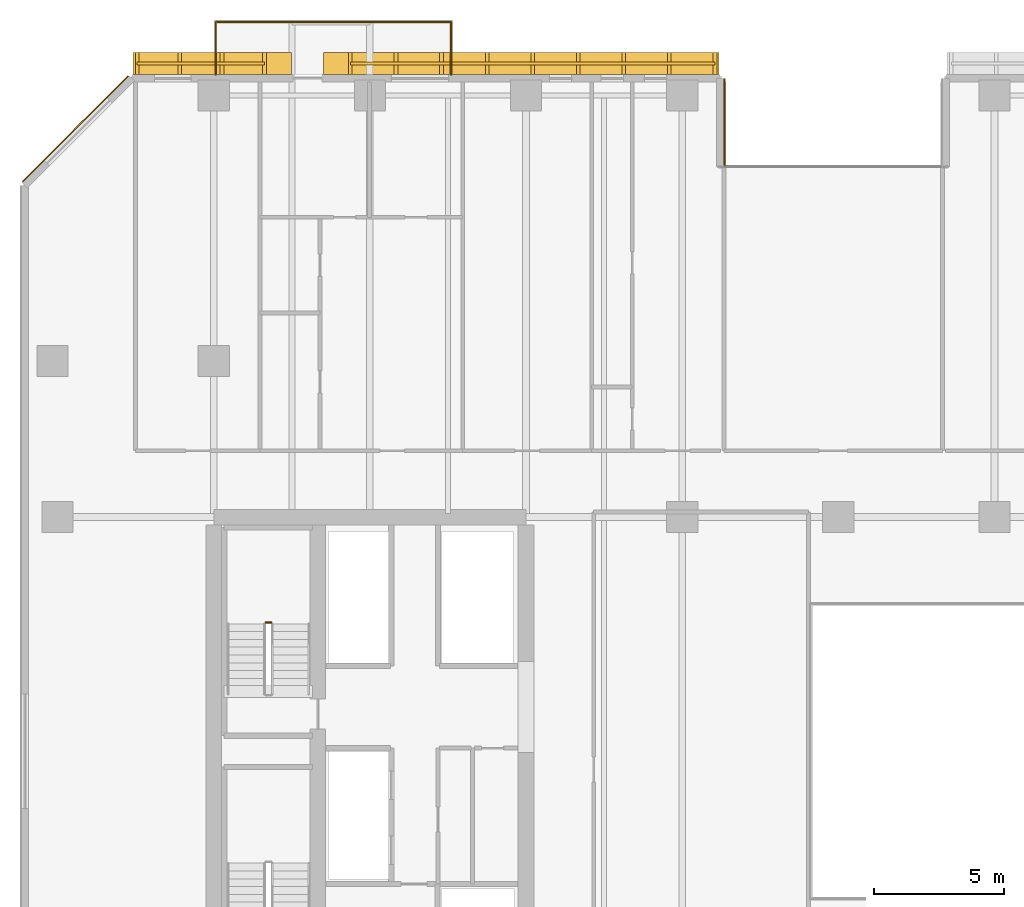
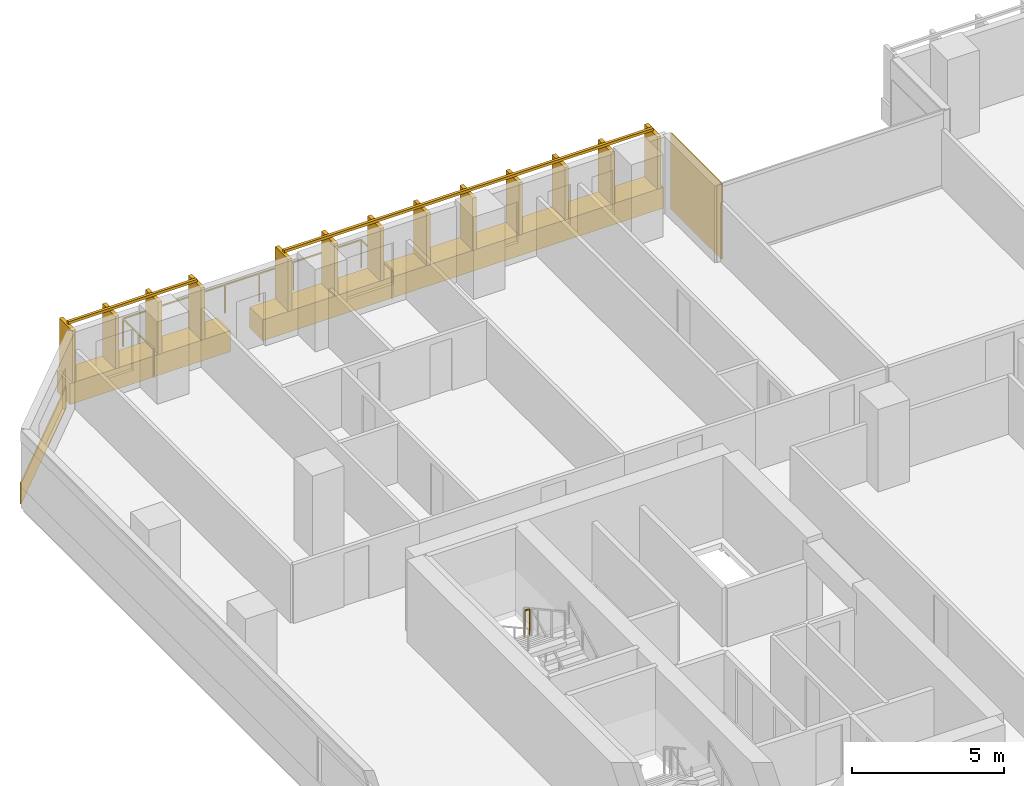
# One storey, part 21 of 25: 4 coverings, 4 railings.
"""IFC4 building model written with IfcOpenShell, lengths in metres."""

from ifc_helpers import new_model, si_unit, direction, frame, origin, origin_2d, place, context, subcontext, project, spatial, rectangle, extrude, material, layer, layer_set, type_object, element, save


model = new_model("IFC4")

# Units and contexts
model_context = context("Model", 3, precision=1e-05, world=origin(), true_north=direction((0.0, 1.0)))
body_context = subcontext(model_context, "Body", "Model", "MODEL_VIEW")
ifc_project = project(units=[si_unit("LENGTHUNIT", "METRE"), si_unit("AREAUNIT", "SQUARE_METRE"), si_unit("VOLUMEUNIT", "CUBIC_METRE"), si_unit("PLANEANGLEUNIT", "RADIAN"), si_unit("MASSUNIT", "GRAM", prefix="KILO")], contexts=[model_context])

# Site, building, storey
site_placement = place(None, origin())
site = spatial("IfcSite", under=ifc_project, at=site_placement, CompositionType="ELEMENT")
building_placement = place(site_placement, origin())
building = spatial("IfcBuilding", under=site, at=building_placement, Name="Tanjung Sevakor Pilgrim Tower", CompositionType="ELEMENT")
storey_placement = place(building_placement, frame((0.0, 0.0, 42.239990234375)))
storey = spatial("IfcBuildingStorey", under=building, at=storey_placement, Name="L11", CompositionType="ELEMENT", Elevation=42.239990234375)

# Coverings
ifc_material_1 = material(Name="Reconstructed Limestone Cladding", Category="masonry")
ifc_layer = layer(ifc_material_1, 0.044921875)
ifc_layer_set = layer_set([ifc_layer], Name="COV-CLAD-LIMESTONE")
covering_type = type_object("IfcCoveringType", Name="COV-CLAD-LIMESTONE", PredefinedType="CLADDING", material=ifc_layer_set)
covering_1_placement = place(storey_placement, frame((43.62255859375, 57.760009765625, 0.02001953125), z_axis=(0.0, 0.0, 1.0), x_axis=(0.0, 1.0, 0.0)))
element("IfcCovering", 1, at=covering_1_placement, inside=storey, type_object=covering_type, Name="L11 Warm Limestone Wall Cladding EW-L11-MAIN-12", PredefinedType="CLADDING", context=body_context, shape_type="SweptSolid", body=[
    extrude(rectangle(XDim=3.360107421875, YDim=0.044921875, at=origin_2d()), origin(), (0.0, 0.0, 1.0), 3.0400390625),
])
covering_2_placement = place(storey_placement, frame((35.81494140625, 60.030029296875, 0.009765625), z_axis=(0.0, 0.0, 1.0), x_axis=(-1.0, 0.0, 0.0)))
element("IfcCovering", 2, at=covering_2_placement, inside=storey, type_object=covering_type, Name="L11 Warm Limestone Sill Spandrel EW-L11-MAIN-13-1", PredefinedType="CLADDING", context=body_context, shape_type="SweptSolid", body=[
    extrude(rectangle(XDim=15.2099609375, YDim=0.860107421875, at=origin_2d()), origin(), (0.0, 0.0, 1.0), 0.840087890625),
])
covering_3_placement = place(storey_placement, frame((23.944091796875, 60.030029296875, 0.009765625), z_axis=(0.0, 0.0, 1.0), x_axis=(-1.0, 0.0, 0.0)))
element("IfcCovering", 3, at=covering_3_placement, inside=storey, type_object=covering_type, Name="L11 Warm Limestone Sill Spandrel EW-L11-MAIN-13-2", PredefinedType="CLADDING", context=body_context, shape_type="SweptSolid", body=[
    extrude(rectangle(XDim=6.092041015625, YDim=0.860107421875, at=origin_2d()), origin(), (0.0, 0.0, 1.0), 0.840087890625),
])
covering_4_placement = place(storey_placement, frame((18.68408203125, 57.515869140625, 0.009765625), z_axis=(0.0, 0.0, 1.0), x_axis=(-0.707106781187, -0.707106781187, 0.0)))
element("IfcCovering", 4, at=covering_4_placement, inside=storey, type_object=covering_type, Name="L11 Warm Limestone Sill Spandrel EW-CHM-L11-MAIN-13-1", PredefinedType="CLADDING", context=body_context, shape_type="SweptSolid", body=[
    extrude(rectangle(XDim=5.74365234375, YDim=0.044921875, at=origin_2d()), origin(), (0.0, 0.0, 1.0), 0.840087890625),
])

# Railings
ifc_material_2 = material(Name="Laminated Glass and Aluminium", Category="aluminium")
railing_type_1 = type_object("IfcRailingType", Name="RL-BAL-BALUST", PredefinedType="BALUSTRADE", material=ifc_material_2)
railing_1_placement = place(storey_placement, frame((24.080078125, 59.60009765625, 0.0)))
element("IfcRailing", 5, at=railing_1_placement, inside=storey, type_object=railing_type_1, Name="L11 Loggia Balustrade MAIN-N1", PredefinedType="BALUSTRADE", context=body_context, shape_type="SweptSolid", body=[
    extrude(rectangle(XDim=0.0479, YDim=0.0479), frame((0.0, 0.0, 1.1259765625), z_axis=(0.0, 1.0, 0.0), x_axis=(-1.0, 0.0, 0.0)), (0.0, 0.0, 1.0), 2.02001953125),
    extrude(rectangle(XDim=0.0479, YDim=0.0479), frame((0.0, 2.02001953125, 1.1259765625), z_axis=(1.0, 0.0, 0.0), x_axis=(0.0, 1.0, 0.0)), (0.0, 0.0, 1.0), 9.0400390625),
    extrude(rectangle(XDim=0.0479, YDim=0.0479), frame((9.0400390625, 2.02001953125, 1.1259765625), z_axis=(0.0, -1.0, 0.0), x_axis=(1.0, 0.0, 0.0)), (0.0, 0.0, 1.0), 2.02001953125),
    extrude(rectangle(XDim=0.042, YDim=0.042), origin(), (0.0, 0.0, 1.0), 1.101806640625),
    extrude(rectangle(XDim=0.042, YDim=0.042), frame((0.0, 1.010009765625, 0.0)), (0.0, 0.0, 1.0), 1.101806640625),
    extrude(rectangle(XDim=0.042, YDim=0.042), frame((0.0, 2.02001953125, 0.0)), (0.0, 0.0, 1.0), 1.101806640625),
    extrude(rectangle(XDim=0.042, YDim=0.042), frame((1.29150390625, 2.02001953125, 0.0)), (0.0, 0.0, 1.0), 1.101806640625),
    extrude(rectangle(XDim=0.042, YDim=0.042), frame((2.582763671875, 2.02001953125, 0.0)), (0.0, 0.0, 1.0), 1.101806640625),
    extrude(rectangle(XDim=0.042, YDim=0.042), frame((3.874267578125, 2.02001953125, 0.0)), (0.0, 0.0, 1.0), 1.101806640625),
    extrude(rectangle(XDim=0.042, YDim=0.042), frame((5.165771484375, 2.02001953125, 0.0)), (0.0, 0.0, 1.0), 1.101806640625),
    extrude(rectangle(XDim=0.042, YDim=0.042), frame((6.457275390625, 2.02001953125, 0.0)), (0.0, 0.0, 1.0), 1.101806640625),
    extrude(rectangle(XDim=0.042, YDim=0.042), frame((7.74853515625, 2.02001953125, 0.0)), (0.0, 0.0, 1.0), 1.101806640625),
    extrude(rectangle(XDim=0.042, YDim=0.042), frame((9.0400390625, 2.02001953125, 0.0)), (0.0, 0.0, 1.0), 1.101806640625),
    extrude(rectangle(XDim=0.042, YDim=0.042), frame((9.0400390625, 1.010009765625, 0.0)), (0.0, 0.0, 1.0), 1.101806640625),
    extrude(rectangle(XDim=0.042, YDim=0.042), frame((9.0400390625, 0.0, 0.0)), (0.0, 0.0, 1.0), 1.101806640625),
])
ifc_material_3 = material(Name="Anodised Bronze Aluminium 6063-T6", Category="aluminium")
railing_type_2 = type_object("IfcRailingType", Name="RL-FIN-SCREEN", PredefinedType="BALUSTRADE", material=ifc_material_3)
railing_2_placement = place(storey_placement, frame((43.260009765625, 60.02490234375, 0.840087890625)))
element("IfcRailing", 6, at=railing_2_placement, inside=storey, type_object=railing_type_2, Name="L11 Vertical Bronze-Gold Solar Fin Screen FNSCR-EW-L11-MAIN-13-1", PredefinedType="BALUSTRADE", context=body_context, shape_type="SweptSolid", body=[
    extrude(rectangle(XDim=0.105, YDim=0.105), frame((0.0, 0.0, 2.157470703125), z_axis=(-1.0, 0.0, 0.0), x_axis=(0.0, -1.0, 0.0)), (0.0, 0.0, 1.0), 14.010009765625),
    extrude(rectangle(XDim=0.14, YDim=0.85), origin(), (0.0, 0.0, 1.0), 2.10498046875),
    extrude(rectangle(XDim=0.14, YDim=0.85), frame((-1.751220703125, 0.0, 0.0)), (0.0, 0.0, 1.0), 2.10498046875),
    extrude(rectangle(XDim=0.14, YDim=0.85), frame((-3.50244140625, 0.0, 0.0)), (0.0, 0.0, 1.0), 2.10498046875),
    extrude(rectangle(XDim=0.14, YDim=0.85), frame((-5.253662109375, 0.0, 0.0)), (0.0, 0.0, 1.0), 2.10498046875),
    extrude(rectangle(XDim=0.14, YDim=0.85), frame((-7.0048828125, 0.0, 0.0)), (0.0, 0.0, 1.0), 2.10498046875),
    extrude(rectangle(XDim=0.14, YDim=0.85), frame((-8.75634765625, 0.0, 0.0)), (0.0, 0.0, 1.0), 2.10498046875),
    extrude(rectangle(XDim=0.14, YDim=0.85), frame((-10.507568359375, 0.0, 0.0)), (0.0, 0.0, 1.0), 2.10498046875),
    extrude(rectangle(XDim=0.14, YDim=0.85), frame((-12.2587890625, 0.0, 0.0)), (0.0, 0.0, 1.0), 2.10498046875),
    extrude(rectangle(XDim=0.14, YDim=0.85), frame((-14.010009765625, 0.0, 0.0)), (0.0, 0.0, 1.0), 2.10498046875),
])
railing_3_placement = place(storey_placement, frame((25.949951171875, 60.02490234375, 0.840087890625)))
element("IfcRailing", 7, at=railing_3_placement, inside=storey, type_object=railing_type_2, Name="L11 Vertical Bronze-Gold Solar Fin Screen FNSCR-EW-L11-MAIN-13-2", PredefinedType="BALUSTRADE", context=body_context, shape_type="SweptSolid", body=[
    extrude(rectangle(XDim=0.105, YDim=0.105), frame((0.0, 0.0, 2.157470703125), z_axis=(-1.0, 0.0, 0.0), x_axis=(0.0, -1.0, 0.0)), (0.0, 0.0, 1.0), 4.891845703125),
    extrude(rectangle(XDim=0.14, YDim=0.85), origin(), (0.0, 0.0, 1.0), 2.10498046875),
    extrude(rectangle(XDim=0.14, YDim=0.85), frame((-1.630615234375, 0.0, 0.0)), (0.0, 0.0, 1.0), 2.10498046875),
    extrude(rectangle(XDim=0.14, YDim=0.85), frame((-3.26123046875, 0.0, 0.0)), (0.0, 0.0, 1.0), 2.10498046875),
    extrude(rectangle(XDim=0.14, YDim=0.85), frame((-4.891845703125, 0.0, 0.0)), (0.0, 0.0, 1.0), 2.10498046875),
])
ifc_material_4 = material(Name="Steel S355J2", Category="steel")
railing_type_3 = type_object("IfcRailingType", Name="RL-STAIR-GUARD", PredefinedType="GUARDRAIL", material=ifc_material_4)
railing_4_placement = place(storey_placement, frame((26.199951171875, 38.550048828125, 1.64990234375)))
element("IfcRailing", 8, at=railing_4_placement, inside=storey, type_object=railing_type_3, Name="L11 TS-W2 stair guard 2", PredefinedType="GUARDRAIL", context=body_context, shape_type="SweptSolid", body=[
    extrude(rectangle(XDim=0.0479, YDim=0.0479), frame((0.0, 0.0, 1.076171875), z_axis=(-1.0, 0.0, 0.0), x_axis=(0.0, -1.0, 0.0)), (0.0, 0.0, 1.0), 0.199951171875),
    extrude(rectangle(XDim=0.042, YDim=0.042), origin(), (0.0, 0.0, 1.0), 1.052001953125),
    extrude(rectangle(XDim=0.042, YDim=0.042), frame((-0.199951171875, 0.0, 0.0)), (0.0, 0.0, 1.0), 1.052001953125),
])

save(model, "model.ifc")
